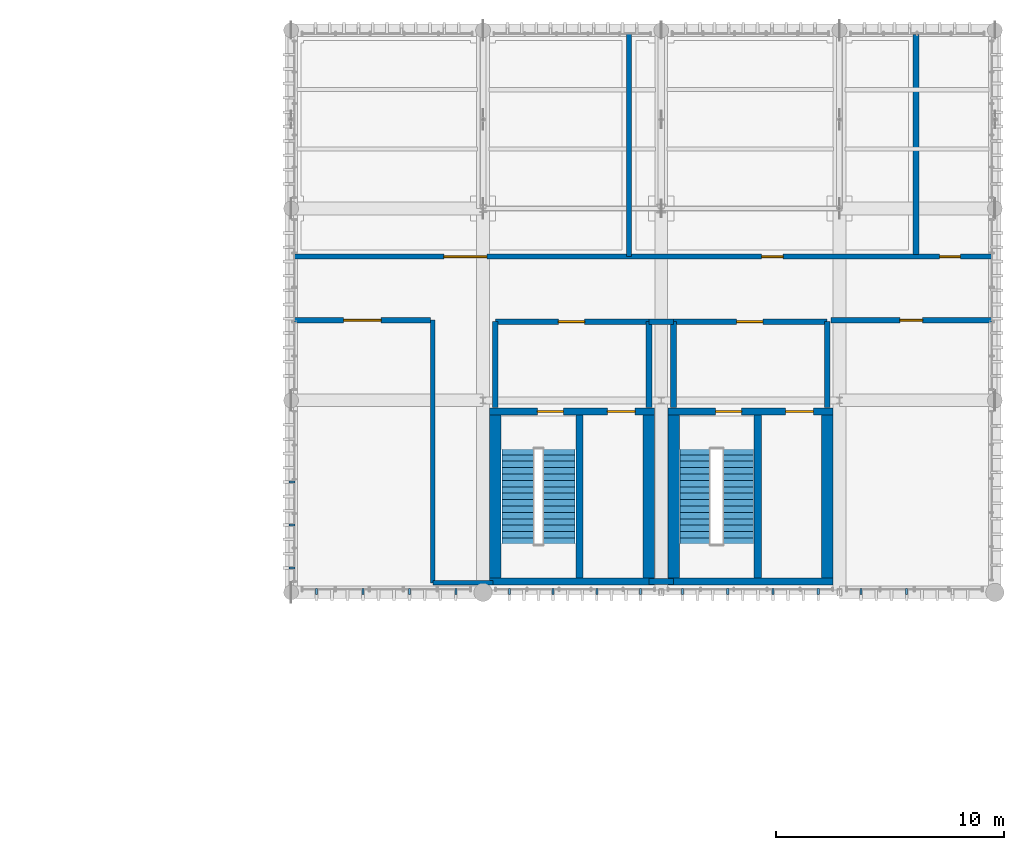
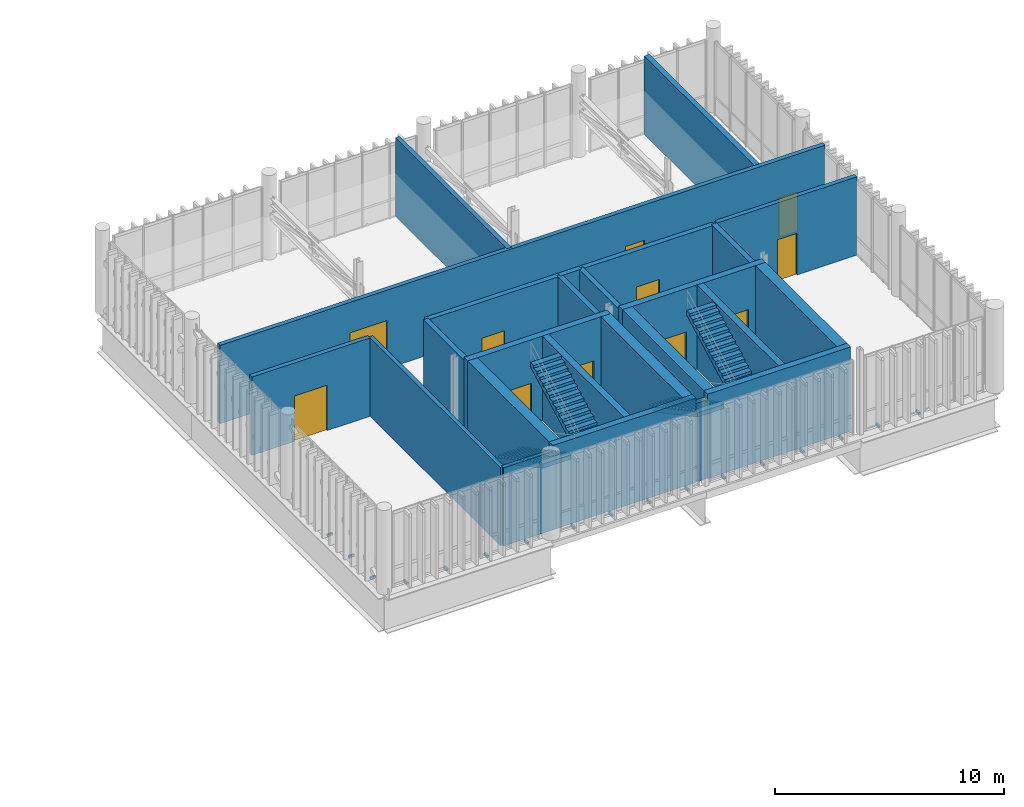
# One storey, part 49 of 53: 25 walls, 17 discrete accessories, 11 doors, 4 stair flights, 11 openings, 2 elements without a shape of their own.
"""IFC4 building model written with IfcOpenShell, lengths in metres."""

from ifc_helpers import new_model, si_unit, direction, frame, frame_2d, origin_with_axes, origin_2d_with_axis, place, context, subcontext, project, spatial, polyline, rectangle, outline, extrude, material, layer, layer_set, type_object, element, fill, aggregate, save


model = new_model("IFC4")

# Units and contexts
model_context = context("Model", 3, precision=1e-05, world=origin_with_axes(), true_north=direction((0.0, 1.0)))
body_context = subcontext(model_context, "Body", "Model", "MODEL_VIEW")
ifc_project = project(units=[si_unit("LENGTHUNIT", "METRE"), si_unit("AREAUNIT", "SQUARE_METRE"), si_unit("VOLUMEUNIT", "CUBIC_METRE"), si_unit("PLANEANGLEUNIT", "RADIAN"), si_unit("MASSUNIT", "GRAM", prefix="KILO"), si_unit("THERMODYNAMICTEMPERATUREUNIT", "KELVIN")], contexts=[model_context])

# Site, building, storey
site_placement = place(None, origin_with_axes())
site = spatial("IfcSite", under=ifc_project, at=site_placement, CompositionType="ELEMENT")
building_placement = place(site_placement, origin_with_axes())
building = spatial("IfcBuilding", under=site, at=building_placement, Name="Montbau Bow Law Courts", CompositionType="ELEMENT")
storey_placement = place(building_placement, frame((0.0, 0.0, 39.0), z_axis=(0.0, 0.0, 1.0), x_axis=(1.0, 0.0, 0.0)))
storey = spatial("IfcBuildingStorey", under=building, at=storey_placement, Name="L08", CompositionType="ELEMENT", Elevation=39.0)

# Walls
ifc_material_1 = material(Name="Concrete CSA A23.1 f'c 45 MPa", Category="concrete")
ifc_layer_1 = layer(ifc_material_1, 0.5, Name="Shear Wall", Category="concrete")
ifc_layer_set_1 = layer_set([ifc_layer_1], Name="Concrete CSA A23.1 f'c 45 MPa")
wall_type_1 = type_object("IfcWallType", Name="W-COR-01", PredefinedType="SHEAR", material=ifc_layer_set_1)
for number, where, z_axis, x_axis, name in (
    (1, (154.26, 87.04, 39.0), (0.0, 0.0, 1.0), (0.0, 1.0, 0.0), "WC-L08-0357:wal_0424"),
    (2, (147.54, 94.16, 39.0), (0.0, 0.0, 1.0), (0.0, -1.0, 0.0), "WC-L08-0358:wal_0425"),
    (3, (162.06, 87.04, 39.0), (0.0, 0.0, 1.0), (0.0, 1.0, 0.0), "WC-L08-0460:wal_0527"),
    (4, (155.34, 94.16, 39.0), (0.0, 0.0, 1.0), (0.0, -1.0, 0.0), "WC-L08-0461:wal_0528"),
):
    element("IfcWall", number, at=place(None, frame(where, z_axis=z_axis, x_axis=x_axis)), inside=storey, type_object=wall_type_1, Name=name, PredefinedType="SHEAR", context=body_context, shape_type="SweptSolid", body=[
        extrude(rectangle(XDim=7.11999999999999, YDim=0.5, at=frame_2d((3.56, 0.0), x_axis=(1.0, 0.0))), origin_with_axes(), (0.0, 0.0, 1.0), 4.5),
    ])
ifc_layer_2 = layer(ifc_material_1, 0.32, Name="Shear Wall", Category="concrete")
ifc_layer_set_2 = layer_set([ifc_layer_2], Name="Concrete CSA A23.1 f'c 45 MPa")
wall_type_2 = type_object("IfcWallType", Name="W-COR-05", PredefinedType="SHEAR", material=ifc_layer_set_2)
wall_1_placement = place(None, frame((147.29, 86.88, 39.0), z_axis=(0.0, 0.0, 1.0), x_axis=(1.0, 0.0, 0.0)))
element("IfcWall", 5, at=wall_1_placement, inside=storey, type_object=wall_type_2, Name="WC-L08-0355:wal_0422", PredefinedType="SHEAR", context=body_context, shape_type="SweptSolid", body=[
    extrude(rectangle(XDim=7.219999999999999, YDim=0.32, at=frame_2d((3.61, 0.0), x_axis=(1.0, 0.0))), origin_with_axes(), (0.0, 0.0, 1.0), 4.5),
])

# Wall, openings, doors
wall_2_placement = place(None, frame((154.51, 94.32, 39.0), z_axis=(0.0, 0.0, 1.0), x_axis=(-1.0, 0.0, 0.0)))
wall_2 = element("IfcWall", 6, at=wall_2_placement, inside=storey, type_object=wall_type_2, Name="WC-L08-0356:wal_0423", PredefinedType="SHEAR", context=body_context, shape_type="SweptSolid", body=[
    extrude(rectangle(XDim=7.219999999999999, YDim=0.32, at=frame_2d((3.61, 0.0), x_axis=(1.0, 0.0))), origin_with_axes(), (0.0, 0.0, 1.0), 4.5),
])
opening_1_placement = place(None, frame((149.95, 94.32, 39.0), z_axis=(0.0, 0.0, 1.0), x_axis=(-1.0, 0.0, 0.0)))
opening_1 = element("IfcOpeningElement", 7, at=opening_1_placement, cuts=wall_2, Name="OP-D-L08-ST-P2", PredefinedType="OPENING", context=body_context, shape_type="SweptSolid", body=[
    extrude(rectangle(XDim=1.14, YDim=2.18, at=frame_2d((0.0, 1.09), x_axis=(1.0, 0.0))), frame((0.0, 0.17, 0.0), z_axis=(0.0, -1.0, 0.0), x_axis=(1.0, 0.0, 0.0)), (0.0, 0.0, 1.0), 0.34),
])
opening_2_placement = place(None, frame((153.05, 94.32, 39.0), z_axis=(0.0, 0.0, 1.0), x_axis=(-1.0, 0.0, 0.0)))
opening_2 = element("IfcOpeningElement", 8, at=opening_2_placement, cuts=wall_2, Name="OP-LD-L08-EL-FF1", PredefinedType="OPENING", context=body_context, shape_type="SweptSolid", body=[
    extrude(rectangle(XDim=1.22, YDim=2.28, at=frame_2d((0.0, 1.14), x_axis=(1.0, 0.0))), frame((0.0, 0.17, 0.0), z_axis=(0.0, -1.0, 0.0), x_axis=(1.0, 0.0, 0.0)), (0.0, 0.0, 1.0), 0.34),
])
ifc_material_2 = material(Name="1.5 h Fire-Rated Hollow-Metal Exit Stair Door", Category="steel")
door_type_1 = type_object("IfcDoorType", Name="D-ST-01", OperationType="NOTDEFINED", ParameterTakesPrecedence=False, PredefinedType="DOOR", material=ifc_material_2)
door_1_placement = place(None, frame((149.95, 94.32, 39.0), z_axis=(0.0, 0.0, 1.0), x_axis=(1.0, 0.0, 0.0)))
door_1 = element("IfcDoor", 9, at=door_1_placement, inside=storey, type_object=door_type_1, Name="D-L08-ST-P2:dor_0171", OperationType="SINGLE_SWING_LEFT", OverallHeight=2.18, OverallWidth=1.14, PredefinedType="DOOR", context=body_context, shape_type="SweptSolid", body=[
    extrude(rectangle(XDim=1.14, YDim=2.18, at=frame_2d((0.0, 1.09), x_axis=(1.0, 0.0))), frame((0.0, 0.04, 0.0), z_axis=(0.0, -1.0, 0.0), x_axis=(1.0, 0.0, 0.0)), (0.0, 0.0, 1.0), 0.08),
])
fill(opening_1, door_1)
ifc_material_3 = material(Name="CSA B44 Firefighters Elevator Landing Door", Category="steel")
door_type_2 = type_object("IfcDoorType", Name="LD-FFE-01", OperationType="NOTDEFINED", ParameterTakesPrecedence=False, PredefinedType="DOOR", material=ifc_material_3)
door_2_placement = place(None, frame((153.05, 94.32, 39.0), z_axis=(0.0, 0.0, 1.0), x_axis=(1.0, 0.0, 0.0)))
door_2 = element("IfcDoor", 10, at=door_2_placement, inside=storey, type_object=door_type_2, Name="LD-L08-EL-FF1:dor_0172", OperationType="SLIDING_TO_LEFT", OverallHeight=2.28, OverallWidth=1.22, PredefinedType="DOOR", context=body_context, shape_type="SweptSolid", body=[
    extrude(rectangle(XDim=1.22, YDim=2.28, at=frame_2d((0.0, 1.14), x_axis=(1.0, 0.0))), frame((0.0, 0.04, 0.0), z_axis=(0.0, -1.0, 0.0), x_axis=(1.0, 0.0, 0.0)), (0.0, 0.0, 1.0), 0.08),
])
fill(opening_2, door_2)

# Walls
wall_3_placement = place(None, frame((151.22, 87.04, 39.0), z_axis=(0.0, 0.0, 1.0), x_axis=(0.0, 1.0, 0.0)))
element("IfcWall", 11, at=wall_3_placement, inside=storey, type_object=wall_type_2, Name="WS-L08-0359:wal_0426", PredefinedType="SHEAR", context=body_context, shape_type="SweptSolid", body=[
    extrude(rectangle(XDim=7.11999999999999, YDim=0.32, at=frame_2d((3.56, 0.0), x_axis=(1.0, 0.0))), origin_with_axes(), (0.0, 0.0, 1.0), 4.5),
])
wall_4_placement = place(None, frame((155.09, 86.88, 39.0), z_axis=(0.0, 0.0, 1.0), x_axis=(1.0, 0.0, 0.0)))
element("IfcWall", 12, at=wall_4_placement, inside=storey, type_object=wall_type_2, Name="WC-L08-0458:wal_0525", PredefinedType="SHEAR", context=body_context, shape_type="SweptSolid", body=[
    extrude(rectangle(XDim=7.219999999999999, YDim=0.32, at=frame_2d((3.61, 0.0), x_axis=(1.0, 0.0))), origin_with_axes(), (0.0, 0.0, 1.0), 4.5),
])

# Wall, openings, doors
wall_5_placement = place(None, frame((162.31, 94.32, 39.0), z_axis=(0.0, 0.0, 1.0), x_axis=(-1.0, 0.0, 0.0)))
wall_5 = element("IfcWall", 13, at=wall_5_placement, inside=storey, type_object=wall_type_2, Name="WC-L08-0459:wal_0526", PredefinedType="SHEAR", context=body_context, shape_type="SweptSolid", body=[
    extrude(rectangle(XDim=7.219999999999999, YDim=0.32, at=frame_2d((3.61, 0.0), x_axis=(1.0, 0.0))), origin_with_axes(), (0.0, 0.0, 1.0), 4.5),
])
opening_3_placement = place(None, frame((157.75, 94.32, 39.0), z_axis=(0.0, 0.0, 1.0), x_axis=(-1.0, 0.0, 0.0)))
opening_3 = element("IfcOpeningElement", 14, at=opening_3_placement, cuts=wall_5, Name="OP-D-L08-ST-J2", PredefinedType="OPENING", context=body_context, shape_type="SweptSolid", body=[
    extrude(rectangle(XDim=1.14, YDim=2.18, at=frame_2d((0.0, 1.09), x_axis=(1.0, 0.0))), frame((0.0, 0.17, 0.0), z_axis=(0.0, -1.0, 0.0), x_axis=(1.0, 0.0, 0.0)), (0.0, 0.0, 1.0), 0.34),
])
opening_4_placement = place(None, frame((160.85, 94.32, 39.0), z_axis=(0.0, 0.0, 1.0), x_axis=(-1.0, 0.0, 0.0)))
opening_4 = element("IfcOpeningElement", 15, at=opening_4_placement, cuts=wall_5, Name="OP-LD-L08-EL-FF2", PredefinedType="OPENING", context=body_context, shape_type="SweptSolid", body=[
    extrude(rectangle(XDim=1.22, YDim=2.28, at=frame_2d((0.0, 1.14), x_axis=(1.0, 0.0))), frame((0.0, 0.17, 0.0), z_axis=(0.0, -1.0, 0.0), x_axis=(1.0, 0.0, 0.0)), (0.0, 0.0, 1.0), 0.34),
])
door_3_placement = place(None, frame((157.75, 94.32, 39.0), z_axis=(0.0, 0.0, 1.0), x_axis=(1.0, 0.0, 0.0)))
door_3 = element("IfcDoor", 16, at=door_3_placement, inside=storey, type_object=door_type_1, Name="D-L08-ST-J2:dor_0209", OperationType="SINGLE_SWING_RIGHT", OverallHeight=2.18, OverallWidth=1.14, PredefinedType="DOOR", context=body_context, shape_type="SweptSolid", body=[
    extrude(rectangle(XDim=1.14, YDim=2.18, at=frame_2d((0.0, 1.09), x_axis=(1.0, 0.0))), frame((0.0, 0.04, 0.0), z_axis=(0.0, -1.0, 0.0), x_axis=(1.0, 0.0, 0.0)), (0.0, 0.0, 1.0), 0.08),
])
fill(opening_3, door_3)
door_4_placement = place(None, frame((160.85, 94.32, 39.0), z_axis=(0.0, 0.0, 1.0), x_axis=(1.0, 0.0, 0.0)))
door_4 = element("IfcDoor", 17, at=door_4_placement, inside=storey, type_object=door_type_2, Name="LD-L08-EL-FF2:dor_0210", OperationType="SLIDING_TO_LEFT", OverallHeight=2.28, OverallWidth=1.22, PredefinedType="DOOR", context=body_context, shape_type="SweptSolid", body=[
    extrude(rectangle(XDim=1.22, YDim=2.28, at=frame_2d((0.0, 1.14), x_axis=(1.0, 0.0))), frame((0.0, 0.04, 0.0), z_axis=(0.0, -1.0, 0.0), x_axis=(1.0, 0.0, 0.0)), (0.0, 0.0, 1.0), 0.08),
])
fill(opening_4, door_4)

# Walls
wall_6_placement = place(None, frame((159.02, 87.04, 39.0), z_axis=(0.0, 0.0, 1.0), x_axis=(0.0, 1.0, 0.0)))
element("IfcWall", 18, at=wall_6_placement, inside=storey, type_object=wall_type_2, Name="WS-L08-0462:wal_0529", PredefinedType="SHEAR", context=body_context, shape_type="SweptSolid", body=[
    extrude(rectangle(XDim=7.11999999999999, YDim=0.32, at=frame_2d((3.56, 0.0), x_axis=(1.0, 0.0))), origin_with_axes(), (0.0, 0.0, 1.0), 4.5),
])
ifc_material_4 = material(Name="Double-Stud Acoustic Plumbing Chase Gypsum Assembly", Category="gypsum")
ifc_layer_3 = layer(ifc_material_4, 0.26, Name="Plumbing Wall", Category="gypsum")
ifc_layer_set_3 = layer_set([ifc_layer_3], Name="Double-Stud Acoustic Plumbing Chase Gypsum Assembly")
wall_type_3 = type_object("IfcWallType", Name="W-PLM-01", PredefinedType="PLUMBINGWALL", material=ifc_layer_set_3)
wall_7_placement = place(None, frame((165.94, 101.19, 39.0), z_axis=(0.0, 0.0, 1.0), x_axis=(0.0, 1.0, 0.0)))
element("IfcWall", 19, at=wall_7_placement, inside=storey, type_object=wall_type_3, Name="WD-L08-0939:wal_1006", PredefinedType="PLUMBINGWALL", context=body_context, shape_type="SweptSolid", body=[
    extrude(rectangle(XDim=9.629999999999995, YDim=0.26, at=frame_2d((4.815, 0.0), x_axis=(1.0, 0.0))), origin_with_axes(), (0.0, 0.0, 1.0), 4.18),
])

# Wall, opening, door
ifc_material_5 = material(Name="2 h Shaft and Exit-Passage Fire Separation Partition", Category="gypsum")
ifc_layer_4 = layer(ifc_material_5, 0.25, Name="Partition", Category="gypsum")
ifc_layer_set_4 = layer_set([ifc_layer_4], Name="2 h Shaft and Exit-Passage Fire Separation Partition")
wall_type_4 = type_object("IfcWallType", Name="W-PRT-01", PredefinedType="PARTITIONING", material=ifc_layer_set_4)
wall_8_placement = place(None, frame((154.26, 98.25, 39.0), z_axis=(0.0, 0.0, 1.0), x_axis=(-1.0, 0.0, 0.0)))
wall_8 = element("IfcWall", 20, at=wall_8_placement, inside=storey, type_object=wall_type_4, Name="WFF-L08-0360:wal_0427", PredefinedType="PARTITIONING", context=body_context, shape_type="SweptSolid", body=[
    extrude(rectangle(XDim=6.719999999999999, YDim=0.25, at=frame_2d((3.36, 0.0), x_axis=(1.0, 0.0))), origin_with_axes(), (0.0, 0.0, 1.0), 4.18),
])
opening_5_placement = place(None, frame((150.875, 98.25, 39.0), z_axis=(0.0, 0.0, 1.0), x_axis=(-1.0, 0.0, 0.0)))
opening_5 = element("IfcOpeningElement", 21, at=opening_5_placement, cuts=wall_8, Name="OP-D-L08-FFL5", PredefinedType="OPENING", context=body_context, shape_type="SweptSolid", body=[
    extrude(rectangle(XDim=1.15, YDim=2.25, at=frame_2d((0.0, 1.125), x_axis=(1.0, 0.0))), frame((0.0, 0.135, 0.0), z_axis=(0.0, -1.0, 0.0), x_axis=(1.0, 0.0, 0.0)), (0.0, 0.0, 1.0), 0.27),
])
ifc_material_6 = material(Name="1.5 h Smoke-Sealed Firefighters Lobby Door", Category="steel")
door_type_3 = type_object("IfcDoorType", Name="D-FFL-01", OperationType="NOTDEFINED", ParameterTakesPrecedence=False, PredefinedType="DOOR", material=ifc_material_6)
door_5_placement = place(None, frame((150.875, 98.25, 39.0), z_axis=(0.0, 0.0, 1.0), x_axis=(1.0, 0.0, 0.0)))
door_5 = element("IfcDoor", 22, at=door_5_placement, inside=storey, type_object=door_type_3, Name="D-L08-FFL5:dor_0173", OperationType="SINGLE_SWING_RIGHT", OverallHeight=2.25, OverallWidth=1.15, PredefinedType="DOOR", context=body_context, shape_type="SweptSolid", body=[
    extrude(rectangle(XDim=1.15, YDim=2.25, at=frame_2d((0.0, 1.125), x_axis=(1.0, 0.0))), frame((0.0, 0.04, 0.0), z_axis=(0.0, -1.0, 0.0), x_axis=(1.0, 0.0, 0.0)), (0.0, 0.0, 1.0), 0.08),
])
fill(opening_5, door_5)

# Walls
for number, where, z_axis, x_axis, name in (
    (23, (147.54, 94.5, 39.0), (0.0, 0.0, 1.0), (0.0, 1.0, 0.0), "WFF-L08-0361:wal_0428"),
    (24, (154.26, 94.5, 39.0), (0.0, 0.0, 1.0), (0.0, 1.0, 0.0), "WFF-L08-0362:wal_0429"),
):
    element("IfcWall", number, at=place(None, frame(where, z_axis=z_axis, x_axis=x_axis)), inside=storey, type_object=wall_type_4, Name=name, PredefinedType="PARTITIONING", context=body_context, shape_type="SweptSolid", body=[
        extrude(rectangle(XDim=3.75, YDim=0.25, at=frame_2d((1.875, 0.0), x_axis=(1.0, 0.0))), origin_with_axes(), (0.0, 0.0, 1.0), 4.18),
    ])

# Wall, opening, door
wall_9_placement = place(None, frame((162.06, 98.25, 39.0), z_axis=(0.0, 0.0, 1.0), x_axis=(-1.0, 0.0, 0.0)))
wall_9 = element("IfcWall", 25, at=wall_9_placement, inside=storey, type_object=wall_type_4, Name="WFF-L08-0463:wal_0530", PredefinedType="PARTITIONING", context=body_context, shape_type="SweptSolid", body=[
    extrude(rectangle(XDim=6.719999999999999, YDim=0.25, at=frame_2d((3.36, 0.0), x_axis=(1.0, 0.0))), origin_with_axes(), (0.0, 0.0, 1.0), 4.18),
])
opening_6_placement = place(None, frame((158.675, 98.25, 39.0), z_axis=(0.0, 0.0, 1.0), x_axis=(-1.0, 0.0, 0.0)))
opening_6 = element("IfcOpeningElement", 26, at=opening_6_placement, cuts=wall_9, Name="OP-D-L08-FFL6", PredefinedType="OPENING", context=body_context, shape_type="SweptSolid", body=[
    extrude(rectangle(XDim=1.15, YDim=2.25, at=frame_2d((0.0, 1.125), x_axis=(1.0, 0.0))), frame((0.0, 0.135, 0.0), z_axis=(0.0, -1.0, 0.0), x_axis=(1.0, 0.0, 0.0)), (0.0, 0.0, 1.0), 0.27),
])
door_6_placement = place(None, frame((158.675, 98.25, 39.0), z_axis=(0.0, 0.0, 1.0), x_axis=(1.0, 0.0, 0.0)))
door_6 = element("IfcDoor", 27, at=door_6_placement, inside=storey, type_object=door_type_3, Name="D-L08-FFL6:dor_0211", OperationType="SINGLE_SWING_LEFT", OverallHeight=2.25, OverallWidth=1.15, PredefinedType="DOOR", context=body_context, shape_type="SweptSolid", body=[
    extrude(rectangle(XDim=1.15, YDim=2.25, at=frame_2d((0.0, 1.125), x_axis=(1.0, 0.0))), frame((0.0, 0.04, 0.0), z_axis=(0.0, -1.0, 0.0), x_axis=(1.0, 0.0, 0.0)), (0.0, 0.0, 1.0), 0.08),
])
fill(opening_6, door_6)

# Walls
for number, where, z_axis, x_axis, name in (
    (28, (155.34, 94.5, 39.0), (0.0, 0.0, 1.0), (0.0, 1.0, 0.0), "WFF-L08-0464:wal_0531"),
    (29, (162.06, 94.5, 39.0), (0.0, 0.0, 1.0), (0.0, 1.0, 0.0), "WFF-L08-0465:wal_0532"),
):
    element("IfcWall", number, at=place(None, frame(where, z_axis=z_axis, x_axis=x_axis)), inside=storey, type_object=wall_type_4, Name=name, PredefinedType="PARTITIONING", context=body_context, shape_type="SweptSolid", body=[
        extrude(rectangle(XDim=3.75, YDim=0.25, at=frame_2d((1.875, 0.0), x_axis=(1.0, 0.0))), origin_with_axes(), (0.0, 0.0, 1.0), 4.18),
    ])
for number, where, z_axis, x_axis, name in (
    (30, (154.26, 98.25, 39.0), (0.0, 0.0, 1.0), (1.0, 0.0, 0.0), "WFF-L08-0553:wal_0620"),
    (31, (154.26, 86.88, 39.0), (0.0, 0.0, 1.0), (1.0, 0.0, 0.0), "WFF-L08-0554:wal_0621"),
):
    element("IfcWall", number, at=place(None, frame(where, z_axis=z_axis, x_axis=x_axis)), inside=storey, type_object=wall_type_4, Name=name, PredefinedType="PARTITIONING", context=body_context, shape_type="SweptSolid", body=[
        extrude(rectangle(XDim=1.0800000000000125, YDim=0.25, at=frame_2d((0.54, 0.0), x_axis=(1.0, 0.0))), origin_with_axes(), (0.0, 0.0, 1.0), 4.18),
    ])

# Wall, openings, doors
ifc_material_7 = material(Name="STC-60 High-Acoustic Courtroom Perimeter Partition", Category="gypsum")
ifc_layer_5 = layer(ifc_material_7, 0.22, Name="Partition", Category="gypsum")
ifc_layer_set_5 = layer_set([ifc_layer_5], Name="STC-60 High-Acoustic Courtroom Perimeter Partition")
wall_type_5 = type_object("IfcWallType", Name="W-PRT-02", PredefinedType="PARTITIONING", material=ifc_layer_set_5)
wall_10_placement = place(None, frame((138.74, 101.09, 39.0), z_axis=(0.0, 0.0, 1.0), x_axis=(1.0, 0.0, 0.0)))
wall_10 = element("IfcWall", 32, at=wall_10_placement, inside=storey, type_object=wall_type_5, Name="WP-L08-0936:wal_1003", PredefinedType="PARTITIONING", context=body_context, shape_type="SweptSolid", body=[
    extrude(rectangle(XDim=30.519999999999982, YDim=0.22, at=frame_2d((15.26, 0.0), x_axis=(1.0, 0.0))), origin_with_axes(), (0.0, 0.0, 1.0), 4.18),
])
opening_7_placement = place(None, frame((146.228, 101.09, 39.0), z_axis=(0.0, 0.0, 1.0), x_axis=(1.0, 0.0, 0.0)))
opening_7 = element("IfcOpeningElement", 33, at=opening_7_placement, cuts=wall_10, Name="OP-D-L08-402", PredefinedType="OPENING", context=body_context, shape_type="SweptSolid", body=[
    extrude(rectangle(XDim=1.88, YDim=2.56, at=frame_2d((0.0, 1.28), x_axis=(1.0, 0.0))), frame((0.0, 0.12, 0.0), z_axis=(0.0, -1.0, 0.0), x_axis=(1.0, 0.0, 0.0)), (0.0, 0.0, 1.0), 0.24),
])
opening_8_placement = place(None, frame((159.666, 101.09, 39.0), z_axis=(0.0, 0.0, 1.0), x_axis=(1.0, 0.0, 0.0)))
opening_8 = element("IfcOpeningElement", 34, at=opening_8_placement, cuts=wall_10, Name="OP-D-L08-403", PredefinedType="OPENING", context=body_context, shape_type="SweptSolid", body=[
    extrude(rectangle(XDim=0.94, YDim=2.3, at=frame_2d((0.0, 1.15), x_axis=(1.0, 0.0))), frame((0.0, 0.12, 0.0), z_axis=(0.0, -1.0, 0.0), x_axis=(1.0, 0.0, 0.0)), (0.0, 0.0, 1.0), 0.24),
])
opening_9_placement = place(None, frame((167.438, 101.09, 39.0), z_axis=(0.0, 0.0, 1.0), x_axis=(1.0, 0.0, 0.0)))
opening_9 = element("IfcOpeningElement", 35, at=opening_9_placement, cuts=wall_10, Name="OP-D-L08-404", PredefinedType="OPENING", context=body_context, shape_type="SweptSolid", body=[
    extrude(rectangle(XDim=0.91, YDim=2.12, at=frame_2d((0.0, 1.06), x_axis=(1.0, 0.0))), frame((0.0, 0.12, 0.0), z_axis=(0.0, -1.0, 0.0), x_axis=(1.0, 0.0, 0.0)), (0.0, 0.0, 1.0), 0.24),
])
ifc_material_8 = material(Name="Appellate Justice Suite Solid White-Oak Door", Category="wood")
door_type_4 = type_object("IfcDoorType", Name="D-CHM-02", OperationType="NOTDEFINED", ParameterTakesPrecedence=False, PredefinedType="DOOR", material=ifc_material_8)
door_7_placement = place(None, frame((159.666, 101.09, 39.0), z_axis=(0.0, 0.0, 1.0), x_axis=(-1.0, 0.0, 0.0)))
door_7 = element("IfcDoor", 36, at=door_7_placement, inside=storey, type_object=door_type_4, Name="D-L08-403:dor_0438", OperationType="SINGLE_SWING_RIGHT", OverallHeight=2.3, OverallWidth=0.94, PredefinedType="DOOR", context=body_context, shape_type="SweptSolid", body=[
    extrude(rectangle(XDim=0.94, YDim=2.3, at=frame_2d((0.0, 1.15), x_axis=(1.0, 0.0))), frame((0.0, 0.04, 0.0), z_axis=(0.0, -1.0, 0.0), x_axis=(1.0, 0.0, 0.0)), (0.0, 0.0, 1.0), 0.08),
])
fill(opening_8, door_7)
ifc_material_9 = material(Name="Acoustic White-Oak Criminal Jury Courtroom Double Door", Category="wood")
door_type_5 = type_object("IfcDoorType", Name="D-CRT-02", OperationType="NOTDEFINED", ParameterTakesPrecedence=False, PredefinedType="DOOR", material=ifc_material_9)
door_8_placement = place(None, frame((146.228, 101.09, 39.0), z_axis=(0.0, 0.0, 1.0), x_axis=(-1.0, 0.0, 0.0)))
door_8 = element("IfcDoor", 37, at=door_8_placement, inside=storey, type_object=door_type_5, Name="D-L08-402:dor_0437", OperationType="DOUBLE_DOOR_SINGLE_SWING", OverallHeight=2.56, OverallWidth=1.88, PredefinedType="DOOR", context=body_context, shape_type="SweptSolid", body=[
    extrude(rectangle(XDim=1.88, YDim=2.56, at=frame_2d((0.0, 1.28), x_axis=(1.0, 0.0))), frame((0.0, 0.04, 0.0), z_axis=(0.0, -1.0, 0.0), x_axis=(1.0, 0.0, 0.0)), (0.0, 0.0, 1.0), 0.08),
])
fill(opening_7, door_8)
ifc_material_10 = material(Name="Public and Judicial Washroom Solid-Core Door", Category="wood")
door_type_6 = type_object("IfcDoorType", Name="D-WC-02", OperationType="NOTDEFINED", ParameterTakesPrecedence=False, PredefinedType="DOOR", material=ifc_material_10)
door_9_placement = place(None, frame((167.438, 101.09, 39.0), z_axis=(0.0, 0.0, 1.0), x_axis=(-1.0, 0.0, 0.0)))
door_9 = element("IfcDoor", 38, at=door_9_placement, inside=storey, type_object=door_type_6, Name="D-L08-404:dor_0439", OperationType="SINGLE_SWING_LEFT", OverallHeight=2.12, OverallWidth=0.91, PredefinedType="DOOR", context=body_context, shape_type="SweptSolid", body=[
    extrude(rectangle(XDim=0.91, YDim=2.12, at=frame_2d((0.0, 1.06), x_axis=(1.0, 0.0))), frame((0.0, 0.04, 0.0), z_axis=(0.0, -1.0, 0.0), x_axis=(1.0, 0.0, 0.0)), (0.0, 0.0, 1.0), 0.08),
])
fill(opening_9, door_9)

# Wall, opening, door
wall_11_placement = place(None, frame((138.74, 98.31, 39.0), z_axis=(0.0, 0.0, 1.0), x_axis=(1.0, 0.0, 0.0)))
wall_11 = element("IfcWall", 39, at=wall_11_placement, inside=storey, type_object=wall_type_5, Name="WP-L08-0937:wal_1004", PredefinedType="PARTITIONING", context=body_context, shape_type="SweptSolid", body=[
    extrude(rectangle(XDim=5.9599999999999795, YDim=0.22, at=frame_2d((2.98, 0.0), x_axis=(1.0, 0.0))), origin_with_axes(), (0.0, 0.0, 1.0), 4.18),
])
opening_10_placement = place(None, frame((141.72, 98.31, 39.0), z_axis=(0.0, 0.0, 1.0), x_axis=(1.0, 0.0, 0.0)))
opening_10 = element("IfcOpeningElement", 40, at=opening_10_placement, cuts=wall_11, Name="OP-D-L08-405", PredefinedType="OPENING", context=body_context, shape_type="SweptSolid", body=[
    extrude(rectangle(XDim=1.64, YDim=2.42, at=frame_2d((0.0, 1.21), x_axis=(1.0, 0.0))), frame((0.0, 0.12, 0.0), z_axis=(0.0, -1.0, 0.0), x_axis=(1.0, 0.0, 0.0)), (0.0, 0.0, 1.0), 0.24),
])
ifc_material_11 = material(Name="Acoustic White-Oak Civil and Family Hearing Double Door", Category="wood")
door_type_7 = type_object("IfcDoorType", Name="D-CRT-04", OperationType="NOTDEFINED", ParameterTakesPrecedence=False, PredefinedType="DOOR", material=ifc_material_11)
door_10_placement = place(None, frame((141.72, 98.31, 39.0), z_axis=(0.0, 0.0, 1.0), x_axis=(1.0, 0.0, 0.0)))
door_10 = element("IfcDoor", 41, at=door_10_placement, inside=storey, type_object=door_type_7, Name="D-L08-405:dor_0440", OperationType="DOUBLE_DOOR_SINGLE_SWING", OverallHeight=2.42, OverallWidth=1.64, PredefinedType="DOOR", context=body_context, shape_type="SweptSolid", body=[
    extrude(rectangle(XDim=1.64, YDim=2.42, at=frame_2d((0.0, 1.21), x_axis=(1.0, 0.0))), frame((0.0, 0.04, 0.0), z_axis=(0.0, -1.0, 0.0), x_axis=(1.0, 0.0, 0.0)), (0.0, 0.0, 1.0), 0.08),
])
fill(opening_10, door_10)

wall_12_placement = place(None, frame((162.22, 98.31, 39.0), z_axis=(0.0, 0.0, 1.0), x_axis=(1.0, 0.0, 0.0)))
wall_12 = element("IfcWall", 42, at=wall_12_placement, inside=storey, type_object=wall_type_5, Name="WP-L08-0938:wal_1005", PredefinedType="PARTITIONING", context=body_context, shape_type="SweptSolid", body=[
    extrude(rectangle(XDim=7.039999999999992, YDim=0.22, at=frame_2d((3.52, 0.0), x_axis=(1.0, 0.0))), origin_with_axes(), (0.0, 0.0, 1.0), 4.18),
])
opening_11_placement = place(None, frame((165.74, 98.31, 39.0), z_axis=(0.0, 0.0, 1.0), x_axis=(1.0, 0.0, 0.0)))
opening_11 = element("IfcOpeningElement", 43, at=opening_11_placement, cuts=wall_12, Name="OP-D-L08-406", PredefinedType="OPENING", context=body_context, shape_type="SweptSolid", body=[
    extrude(rectangle(XDim=0.99, YDim=2.22, at=frame_2d((0.0, 1.11), x_axis=(1.0, 0.0))), frame((0.0, 0.12, 0.0), z_axis=(0.0, -1.0, 0.0), x_axis=(1.0, 0.0, 0.0)), (0.0, 0.0, 1.0), 0.24),
])
ifc_material_12 = material(Name="STC-52 Jury Deliberation Suite Solid-Core Oak Door", Category="wood")
door_type_8 = type_object("IfcDoorType", Name="D-JUR-01", OperationType="NOTDEFINED", ParameterTakesPrecedence=False, PredefinedType="DOOR", material=ifc_material_12)
door_11_placement = place(None, frame((165.74, 98.31, 39.0), z_axis=(0.0, 0.0, 1.0), x_axis=(1.0, 0.0, 0.0)))
door_11 = element("IfcDoor", 44, at=door_11_placement, inside=storey, type_object=door_type_8, Name="D-L08-406:dor_0441", OperationType="SINGLE_SWING_RIGHT", OverallHeight=2.22, OverallWidth=0.99, PredefinedType="DOOR", context=body_context, shape_type="SweptSolid", body=[
    extrude(rectangle(XDim=0.99, YDim=2.22, at=frame_2d((0.0, 1.11), x_axis=(1.0, 0.0))), frame((0.0, 0.04, 0.0), z_axis=(0.0, -1.0, 0.0), x_axis=(1.0, 0.0, 0.0)), (0.0, 0.0, 1.0), 0.08),
])
fill(opening_11, door_11)

# Walls
wall_13_placement = place(None, frame((153.393, 101.09, 39.0), z_axis=(0.0, 0.0, 1.0), x_axis=(0.0, 1.0, 0.0)))
element("IfcWall", 45, at=wall_13_placement, inside=storey, type_object=wall_type_5, Name="WD-L08-0940:wal_1007", PredefinedType="PARTITIONING", context=body_context, shape_type="SweptSolid", body=[
    extrude(rectangle(XDim=9.769999999999996, YDim=0.22, at=frame_2d((4.885, 0.0), x_axis=(1.0, 0.0))), origin_with_axes(), (0.0, 0.0, 1.0), 4.18),
])
ifc_material_13 = material(Name="STC-55 Jury Deliberation Security Partition", Category="gypsum")
ifc_layer_6 = layer(ifc_material_13, 0.2, Name="Partition", Category="gypsum")
ifc_layer_set_6 = layer_set([ifc_layer_6], Name="STC-55 Jury Deliberation Security Partition")
wall_type_6 = type_object("IfcWallType", Name="W-PRT-03", PredefinedType="PARTITIONING", material=ifc_layer_set_6)
wall_14_placement = place(None, frame((144.8, 86.82, 39.0), z_axis=(0.0, 0.0, 1.0), x_axis=(0.0, 1.0, 0.0)))
element("IfcWall", 46, at=wall_14_placement, inside=storey, type_object=wall_type_6, Name="WCX-L08-0934:wal_1001", PredefinedType="PARTITIONING", context=body_context, shape_type="SweptSolid", body=[
    extrude(rectangle(XDim=11.490000000000009, YDim=0.2, at=frame_2d((5.745, 0.0), x_axis=(1.0, 0.0))), origin_with_axes(), (0.0, 0.0, 1.0), 4.18),
])
wall_15_placement = place(None, frame((144.8, 86.82, 39.0), z_axis=(0.0, 0.0, 1.0), x_axis=(1.0, 0.0, 0.0)))
element("IfcWall", 47, at=wall_15_placement, inside=storey, type_object=wall_type_6, Name="WCX-L08-0935:wal_1002", PredefinedType="PARTITIONING", context=body_context, shape_type="SweptSolid", body=[
    extrude(rectangle(XDim=2.6399999999999864, YDim=0.2, at=frame_2d((1.32, 0.0), x_axis=(1.0, 0.0))), origin_with_axes(), (0.0, 0.0, 1.0), 4.18),
])

# Stair, stair flights
ifc_material_14 = material(Name="Concrete CSA A23.1 f'c 40 MPa", Category="concrete")
stair_type_1 = type_object("IfcStairType", Name="ST-JUD-1500", PredefinedType="HALF_TURN_STAIR", material=ifc_material_14)
stair_1_placement = place(None, frame((156.29, 92.7, 39.0), z_axis=(0.0, 0.0, 1.0), x_axis=(1.0, 0.0, 0.0)))
stair_1 = element("IfcStair", 48, at=stair_1_placement, inside=storey, type_object=stair_type_1, Name="ST-J2-L08:str_0053", PredefinedType="HALF_TURN_STAIR")
stair_flight_type_1 = type_object("IfcStairFlightType", Name="SF-RC-1500A", PredefinedType="STRAIGHT", material=ifc_material_14)
stair_flight_1_placement = place(None, frame((156.29, 92.7, 39.0), z_axis=(0.0, 0.0, 1.0), x_axis=(0.0, -1.0, 0.0)))
stair_flight_1 = element("IfcStairFlight", 49, at=stair_flight_1_placement, type_object=stair_flight_type_1, Name="ST-J2-L08-F1:str_0053_F1", NumberOfRisers=15, NumberOfTreads=14, PredefinedType="STRAIGHT", RiserHeight=0.15, TreadLength=0.28, context=body_context, shape_type="SweptSolid", body=[
    extrude(outline(polyline([(0.0, 0.0), (0.0, 0.15), (0.28, 0.15), (0.28, 0.3), (0.56, 0.3), (0.56, 0.45), (0.84, 0.45), (0.84, 0.6), (1.12, 0.6), (1.12, 0.75), (1.4, 0.75), (1.4, 0.9), (1.68, 0.9), (1.68, 1.05), (1.96, 1.05), (1.96, 1.2), (2.24, 1.2), (2.24, 1.35), (2.52, 1.35), (2.52, 1.5), (2.8, 1.5), (2.8, 1.65), (3.08, 1.65), (3.08, 1.8), (3.36, 1.8), (3.36, 1.95), (3.64, 1.95), (3.64, 2.1), (3.92, 2.1), (3.92, 2.25), (4.2, 2.25), (4.2, 2.011764), (0.444707, 0.0), (0.0, 0.0)])), frame((0.0, 0.67, 0.0), z_axis=(0.0, -1.0, 0.0), x_axis=(1.0, 0.0, 0.0)), (0.0, 0.0, 1.0), 1.34),
])
stair_flight_2_placement = place(None, frame((158.16, 88.5, 41.25), z_axis=(0.0, 0.0, 1.0), x_axis=(0.0, 1.0, 0.0)))
stair_flight_2 = element("IfcStairFlight", 50, at=stair_flight_2_placement, type_object=stair_flight_type_1, Name="ST-J2-L08-F2:str_0053_F2", NumberOfRisers=15, NumberOfTreads=14, PredefinedType="STRAIGHT", RiserHeight=0.15, TreadLength=0.28, context=body_context, shape_type="SweptSolid", body=[
    extrude(outline(polyline([(0.0, 0.0), (0.0, 0.15), (0.28, 0.15), (0.28, 0.3), (0.56, 0.3), (0.56, 0.45), (0.84, 0.45), (0.84, 0.6), (1.12, 0.6), (1.12, 0.75), (1.4, 0.75), (1.4, 0.9), (1.68, 0.9), (1.68, 1.05), (1.96, 1.05), (1.96, 1.2), (2.24, 1.2), (2.24, 1.35), (2.52, 1.35), (2.52, 1.5), (2.8, 1.5), (2.8, 1.65), (3.08, 1.65), (3.08, 1.8), (3.36, 1.8), (3.36, 1.95), (3.64, 1.95), (3.64, 2.1), (3.92, 2.1), (3.92, 2.25), (4.2, 2.25), (4.2, 2.011764), (0.444707, 0.0), (0.0, 0.0)])), frame((0.0, 0.67, 0.0), z_axis=(0.0, -1.0, 0.0), x_axis=(1.0, 0.0, 0.0)), (0.0, 0.0, 1.0), 1.34),
])
aggregate(stair_1, [stair_flight_1, stair_flight_2])

stair_type_2 = type_object("IfcStairType", Name="ST-PUB-1800", PredefinedType="HALF_TURN_STAIR", material=ifc_material_14)
stair_2_placement = place(None, frame((148.53, 92.7, 39.0), z_axis=(0.0, 0.0, 1.0), x_axis=(1.0, 0.0, 0.0)))
stair_2 = element("IfcStair", 51, at=stair_2_placement, inside=storey, type_object=stair_type_2, Name="ST-P2-L08:str_0042", PredefinedType="HALF_TURN_STAIR")
stair_flight_type_2 = type_object("IfcStairFlightType", Name="SF-RC-1800A", PredefinedType="STRAIGHT", material=ifc_material_14)
stair_flight_3_placement = place(None, frame((148.53, 92.7, 39.0), z_axis=(0.0, 0.0, 1.0), x_axis=(0.0, -1.0, 0.0)))
stair_flight_3 = element("IfcStairFlight", 52, at=stair_flight_3_placement, type_object=stair_flight_type_2, Name="ST-P2-L08-F1:str_0042_F1", NumberOfRisers=15, NumberOfTreads=14, PredefinedType="STRAIGHT", RiserHeight=0.15, TreadLength=0.28, context=body_context, shape_type="SweptSolid", body=[
    extrude(outline(polyline([(0.0, 0.0), (0.0, 0.15), (0.28, 0.15), (0.28, 0.3), (0.56, 0.3), (0.56, 0.45), (0.84, 0.45), (0.84, 0.6), (1.12, 0.6), (1.12, 0.75), (1.4, 0.75), (1.4, 0.9), (1.68, 0.9), (1.68, 1.05), (1.96, 1.05), (1.96, 1.2), (2.24, 1.2), (2.24, 1.35), (2.52, 1.35), (2.52, 1.5), (2.8, 1.5), (2.8, 1.65), (3.08, 1.65), (3.08, 1.8), (3.36, 1.8), (3.36, 1.95), (3.64, 1.95), (3.64, 2.1), (3.92, 2.1), (3.92, 2.25), (4.2, 2.25), (4.2, 2.011764), (0.444707, 0.0), (0.0, 0.0)])), frame((0.0, 0.71, 0.0), z_axis=(0.0, -1.0, 0.0), x_axis=(1.0, 0.0, 0.0)), (0.0, 0.0, 1.0), 1.42),
])
stair_flight_4_placement = place(None, frame((150.32, 88.5, 41.25), z_axis=(0.0, 0.0, 1.0), x_axis=(0.0, 1.0, 0.0)))
stair_flight_4 = element("IfcStairFlight", 53, at=stair_flight_4_placement, type_object=stair_flight_type_2, Name="ST-P2-L08-F2:str_0042_F2", NumberOfRisers=15, NumberOfTreads=14, PredefinedType="STRAIGHT", RiserHeight=0.15, TreadLength=0.28, context=body_context, shape_type="SweptSolid", body=[
    extrude(outline(polyline([(0.0, 0.0), (0.0, 0.15), (0.28, 0.15), (0.28, 0.3), (0.56, 0.3), (0.56, 0.45), (0.84, 0.45), (0.84, 0.6), (1.12, 0.6), (1.12, 0.75), (1.4, 0.75), (1.4, 0.9), (1.68, 0.9), (1.68, 1.05), (1.96, 1.05), (1.96, 1.2), (2.24, 1.2), (2.24, 1.35), (2.52, 1.35), (2.52, 1.5), (2.8, 1.5), (2.8, 1.65), (3.08, 1.65), (3.08, 1.8), (3.36, 1.8), (3.36, 1.95), (3.64, 1.95), (3.64, 2.1), (3.92, 2.1), (3.92, 2.25), (4.2, 2.25), (4.2, 2.011764), (0.444707, 0.0), (0.0, 0.0)])), frame((0.0, 0.71, 0.0), z_axis=(0.0, -1.0, 0.0), x_axis=(1.0, 0.0, 0.0)), (0.0, 0.0, 1.0), 1.42),
])
aggregate(stair_2, [stair_flight_3, stair_flight_4])

# Discrete accessories
ifc_material_15 = material(Name="Stainless Steel AISI 316L Outrigger Louvre Bracket", Category="steel")
discrete_accessory_type = type_object("IfcDiscreteAccessoryType", Name="DA-BRK-01", PredefinedType="BRACKET", material=ifc_material_15)
for number, where, z_axis, x_axis, name in (
    (54, (139.717, 86.44, 39.0), (0.0, 0.0, 1.0), (0.0, -1.0, 0.0), "BRK-L08-1225:brk_1225"),
    (55, (141.747, 86.44, 39.0), (0.0, 0.0, 1.0), (0.0, -1.0, 0.0), "BRK-L08-1226:brk_1226"),
    (56, (143.778, 86.44, 39.0), (0.0, 0.0, 1.0), (0.0, -1.0, 0.0), "BRK-L08-1227:brk_1227"),
    (57, (145.808, 86.44, 39.0), (0.0, 0.0, 1.0), (0.0, -1.0, 0.0), "BRK-L08-1228:brk_1228"),
    (58, (148.153, 86.44, 39.0), (0.0, 0.0, 1.0), (0.0, -1.0, 0.0), "BRK-L08-1229:brk_1229"),
    (59, (150.067, 86.44, 39.0), (0.0, 0.0, 1.0), (0.0, -1.0, 0.0), "BRK-L08-1230:brk_1230"),
    (60, (151.98, 86.44, 39.0), (0.0, 0.0, 1.0), (0.0, -1.0, 0.0), "BRK-L08-1231:brk_1231"),
    (61, (153.894, 86.44, 39.0), (0.0, 0.0, 1.0), (0.0, -1.0, 0.0), "BRK-L08-1232:brk_1232"),
    (62, (155.728, 86.44, 39.0), (0.0, 0.0, 1.0), (0.0, -1.0, 0.0), "BRK-L08-1233:brk_1233"),
    (63, (157.709, 86.44, 39.0), (0.0, 0.0, 1.0), (0.0, -1.0, 0.0), "BRK-L08-1234:brk_1234"),
    (64, (159.691, 86.44, 39.0), (0.0, 0.0, 1.0), (0.0, -1.0, 0.0), "BRK-L08-1235:brk_1235"),
    (65, (161.672, 86.44, 39.0), (0.0, 0.0, 1.0), (0.0, -1.0, 0.0), "BRK-L08-1236:brk_1236"),
    (66, (163.537, 86.44, 39.0), (0.0, 0.0, 1.0), (0.0, -1.0, 0.0), "BRK-L08-1237:brk_1237"),
    (67, (165.542, 86.44, 39.0), (0.0, 0.0, 1.0), (0.0, -1.0, 0.0), "BRK-L08-1238:brk_1238"),
    (68, (138.64, 87.467, 39.0), (0.0, 0.0, 1.0), (-1.0, 0.0, 0.0), "BRK-L08-1255:brk_1255"),
    (69, (138.64, 89.347, 39.0), (0.0, 0.0, 1.0), (-1.0, 0.0, 0.0), "BRK-L08-1256:brk_1256"),
    (70, (138.64, 91.227, 39.0), (0.0, 0.0, 1.0), (-1.0, 0.0, 0.0), "BRK-L08-1257:brk_1257"),
):
    element("IfcDiscreteAccessory", number, at=place(None, frame(where, z_axis=z_axis, x_axis=x_axis)), inside=storey, type_object=discrete_accessory_type, Name=name, PredefinedType="BRACKET", context=body_context, shape_type="SweptSolid", body=[
        extrude(rectangle(XDim=0.28, YDim=0.09, at=origin_2d_with_axis()), origin_with_axes(), (0.0, 0.0, 1.0), 0.12),
    ])

save(model, "model.ifc")
